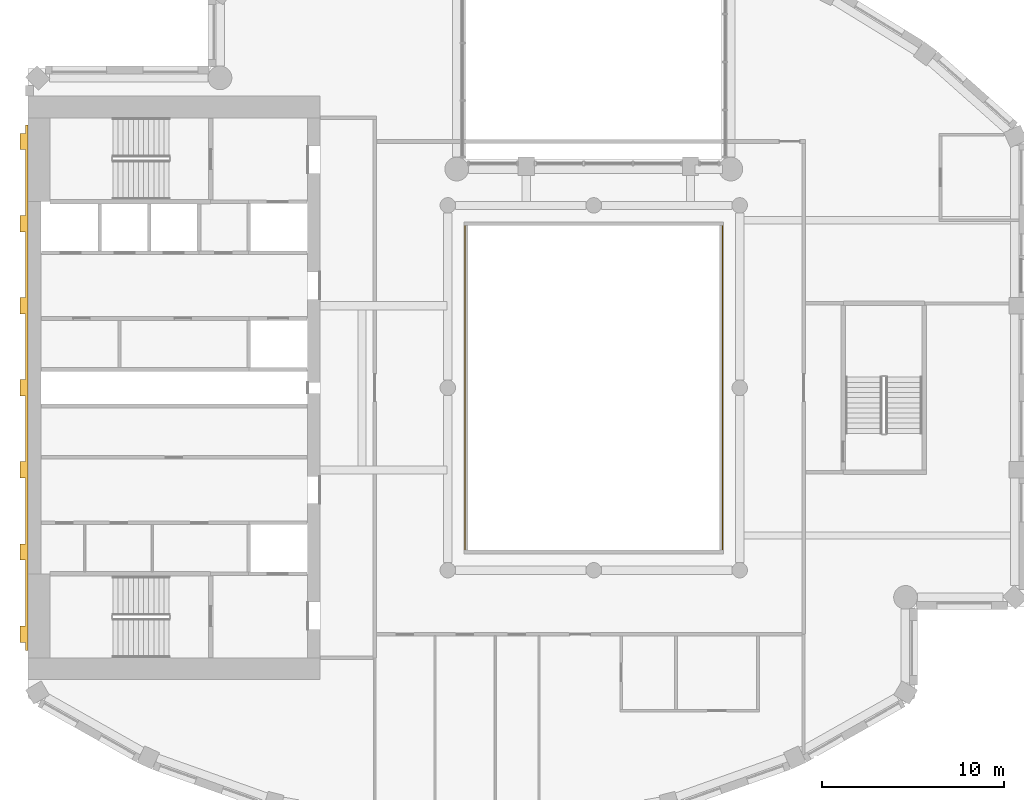
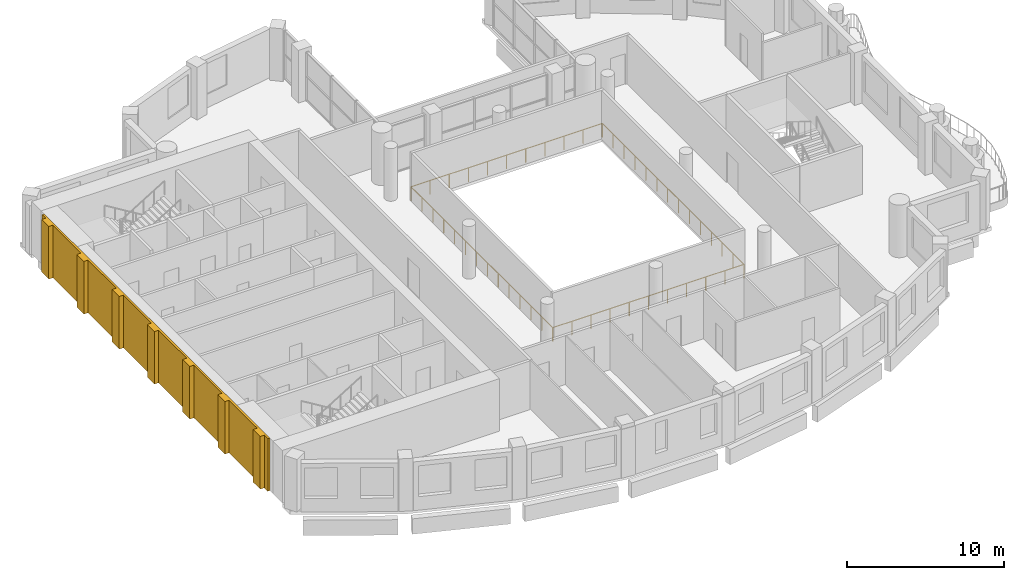
# One storey, part 11 of 14: 1 covering, 1 railing.
"""IFC4 building model written with IfcOpenShell, lengths in metres."""

from ifc_helpers import new_model, si_unit, direction, frame, origin, origin_2d, place, context, subcontext, project, spatial, polyline, rectangle, outline, extrude, material, layer, layer_set, type_object, element, save


model = new_model("IFC4")

# Units and contexts
model_context = context("Model", 3, precision=1e-05, world=origin(), true_north=direction((0.0, 1.0)))
body_context = subcontext(model_context, "Body", "Model", "MODEL_VIEW")
ifc_project = project(units=[si_unit("LENGTHUNIT", "METRE"), si_unit("AREAUNIT", "SQUARE_METRE"), si_unit("VOLUMEUNIT", "CUBIC_METRE"), si_unit("PLANEANGLEUNIT", "RADIAN"), si_unit("MASSUNIT", "GRAM", prefix="KILO")], contexts=[model_context])

# Site, building, storey
site_placement = place(None, origin())
site = spatial("IfcSite", under=ifc_project, at=site_placement, CompositionType="ELEMENT")
building_placement = place(site_placement, origin())
building = spatial("IfcBuilding", under=site, at=building_placement, Name="Cypress Arch Tower", CompositionType="ELEMENT")
storey_placement = place(building_placement, frame((0.0, 0.0, 263.89990234375)))
storey = spatial("IfcBuildingStorey", under=building, at=storey_placement, Name="L59", CompositionType="ELEMENT", Elevation=263.89990234375)

# Railing
ifc_material_1 = material(Name="Stainless steel posts and handrail, laminated glass infill", Category="steel")
railing_type = type_object("IfcRailingType", Name="Atrium guard GR1100A", PredefinedType="GUARDRAIL", material=ifc_material_1)
railing_placement = place(storey_placement, frame((8.050048828125, -9.050048828125, 0.0)))
element("IfcRailing", 1, at=railing_placement, inside=storey, type_object=railing_type, Name="Atrium guard L59", PredefinedType="GUARDRAIL", context=body_context, shape_type="SweptSolid", body=[
    extrude(rectangle(XDim=0.050048828125, YDim=0.050048828125, at=origin_2d()), frame((0.0, 0.0, 1.0751953125), z_axis=(-1.0, 0.0, 0.0), x_axis=(0.0, -1.0, 0.0)), (0.0, 0.0, 1.0), 14.10009765625),
    extrude(rectangle(XDim=0.050048828125, YDim=0.050048828125, at=origin_2d()), frame((-14.10009765625, 0.0, 1.0751953125), z_axis=(0.0, 1.0, 0.0), x_axis=(-1.0, 0.0, 0.0)), (0.0, 0.0, 1.0), 18.10009765625),
    extrude(rectangle(XDim=0.050048828125, YDim=0.050048828125, at=origin_2d()), frame((-14.10009765625, 18.10009765625, 1.0751953125), z_axis=(1.0, 0.0, 0.0), x_axis=(0.0, 1.0, 0.0)), (0.0, 0.0, 1.0), 14.10009765625),
    extrude(rectangle(XDim=0.050048828125, YDim=0.050048828125, at=origin_2d()), frame((0.0, 18.10009765625, 1.0751953125), z_axis=(0.0, -1.0, 0.0), x_axis=(1.0, 0.0, 0.0)), (0.0, 0.0, 1.0), 18.10009765625),
    extrude(rectangle(XDim=0.050048828125, YDim=0.050048828125, at=origin_2d()), origin(), (0.0, 0.0, 1.0), 1.050048828125),
    extrude(rectangle(XDim=0.050048828125, YDim=0.050048828125, at=origin_2d()), frame((-1.409912109375, 0.0, 0.0)), (0.0, 0.0, 1.0), 1.050048828125),
    extrude(rectangle(XDim=0.050048828125, YDim=0.050048828125, at=origin_2d()), frame((-2.820068359375, 0.0, 0.0)), (0.0, 0.0, 1.0), 1.050048828125),
    extrude(rectangle(XDim=0.050048828125, YDim=0.050048828125, at=origin_2d()), frame((-4.22998046875, 0.0, 0.0)), (0.0, 0.0, 1.0), 1.050048828125),
    extrude(rectangle(XDim=0.050048828125, YDim=0.050048828125, at=origin_2d()), frame((-5.64013671875, 0.0, 0.0)), (0.0, 0.0, 1.0), 1.050048828125),
    extrude(rectangle(XDim=0.050048828125, YDim=0.050048828125, at=origin_2d()), frame((-7.050048828125, 0.0, 0.0)), (0.0, 0.0, 1.0), 1.050048828125),
    extrude(rectangle(XDim=0.050048828125, YDim=0.050048828125, at=origin_2d()), frame((-8.4599609375, 0.0, 0.0)), (0.0, 0.0, 1.0), 1.050048828125),
    extrude(rectangle(XDim=0.050048828125, YDim=0.050048828125, at=origin_2d()), frame((-9.8701171875, 0.0, 0.0)), (0.0, 0.0, 1.0), 1.050048828125),
    extrude(rectangle(XDim=0.050048828125, YDim=0.050048828125, at=origin_2d()), frame((-11.280029296875, 0.0, 0.0)), (0.0, 0.0, 1.0), 1.050048828125),
    extrude(rectangle(XDim=0.050048828125, YDim=0.050048828125, at=origin_2d()), frame((-12.690185546875, 0.0, 0.0)), (0.0, 0.0, 1.0), 1.050048828125),
    extrude(rectangle(XDim=0.050048828125, YDim=0.050048828125, at=origin_2d()), frame((-14.10009765625, 0.0, 0.0)), (0.0, 0.0, 1.0), 1.050048828125),
    extrude(rectangle(XDim=0.050048828125, YDim=0.050048828125, at=origin_2d()), frame((-14.10009765625, 1.392333984375, 0.0)), (0.0, 0.0, 1.0), 1.050048828125),
    extrude(rectangle(XDim=0.050048828125, YDim=0.050048828125, at=origin_2d()), frame((-14.10009765625, 2.78466796875, 0.0)), (0.0, 0.0, 1.0), 1.050048828125),
    extrude(rectangle(XDim=0.050048828125, YDim=0.050048828125, at=origin_2d()), frame((-14.10009765625, 4.177001953125, 0.0)), (0.0, 0.0, 1.0), 1.050048828125),
    extrude(rectangle(XDim=0.050048828125, YDim=0.050048828125, at=origin_2d()), frame((-14.10009765625, 5.5693359375, 0.0)), (0.0, 0.0, 1.0), 1.050048828125),
    extrude(rectangle(XDim=0.050048828125, YDim=0.050048828125, at=origin_2d()), frame((-14.10009765625, 6.961669921875, 0.0)), (0.0, 0.0, 1.0), 1.050048828125),
    extrude(rectangle(XDim=0.050048828125, YDim=0.050048828125, at=origin_2d()), frame((-14.10009765625, 8.35400390625, 0.0)), (0.0, 0.0, 1.0), 1.050048828125),
    extrude(rectangle(XDim=0.050048828125, YDim=0.050048828125, at=origin_2d()), frame((-14.10009765625, 9.74609375, 0.0)), (0.0, 0.0, 1.0), 1.050048828125),
    extrude(rectangle(XDim=0.050048828125, YDim=0.050048828125, at=origin_2d()), frame((-14.10009765625, 11.138427734375, 0.0)), (0.0, 0.0, 1.0), 1.050048828125),
    extrude(rectangle(XDim=0.050048828125, YDim=0.050048828125, at=origin_2d()), frame((-14.10009765625, 12.53076171875, 0.0)), (0.0, 0.0, 1.0), 1.050048828125),
    extrude(rectangle(XDim=0.050048828125, YDim=0.050048828125, at=origin_2d()), frame((-14.10009765625, 13.923095703125, 0.0)), (0.0, 0.0, 1.0), 1.050048828125),
    extrude(rectangle(XDim=0.050048828125, YDim=0.050048828125, at=origin_2d()), frame((-14.10009765625, 15.3154296875, 0.0)), (0.0, 0.0, 1.0), 1.050048828125),
    extrude(rectangle(XDim=0.050048828125, YDim=0.050048828125, at=origin_2d()), frame((-14.10009765625, 16.707763671875, 0.0)), (0.0, 0.0, 1.0), 1.050048828125),
    extrude(rectangle(XDim=0.050048828125, YDim=0.050048828125, at=origin_2d()), frame((-14.10009765625, 18.10009765625, 0.0)), (0.0, 0.0, 1.0), 1.050048828125),
    extrude(rectangle(XDim=0.050048828125, YDim=0.050048828125, at=origin_2d()), frame((-12.690185546875, 18.10009765625, 0.0)), (0.0, 0.0, 1.0), 1.050048828125),
    extrude(rectangle(XDim=0.050048828125, YDim=0.050048828125, at=origin_2d()), frame((-11.280029296875, 18.10009765625, 0.0)), (0.0, 0.0, 1.0), 1.050048828125),
    extrude(rectangle(XDim=0.050048828125, YDim=0.050048828125, at=origin_2d()), frame((-9.8701171875, 18.10009765625, 0.0)), (0.0, 0.0, 1.0), 1.050048828125),
    extrude(rectangle(XDim=0.050048828125, YDim=0.050048828125, at=origin_2d()), frame((-8.4599609375, 18.10009765625, 0.0)), (0.0, 0.0, 1.0), 1.050048828125),
    extrude(rectangle(XDim=0.050048828125, YDim=0.050048828125, at=origin_2d()), frame((-7.050048828125, 18.10009765625, 0.0)), (0.0, 0.0, 1.0), 1.050048828125),
    extrude(rectangle(XDim=0.050048828125, YDim=0.050048828125, at=origin_2d()), frame((-5.64013671875, 18.10009765625, 0.0)), (0.0, 0.0, 1.0), 1.050048828125),
    extrude(rectangle(XDim=0.050048828125, YDim=0.050048828125, at=origin_2d()), frame((-4.22998046875, 18.10009765625, 0.0)), (0.0, 0.0, 1.0), 1.050048828125),
    extrude(rectangle(XDim=0.050048828125, YDim=0.050048828125, at=origin_2d()), frame((-2.820068359375, 18.10009765625, 0.0)), (0.0, 0.0, 1.0), 1.050048828125),
    extrude(rectangle(XDim=0.050048828125, YDim=0.050048828125, at=origin_2d()), frame((-1.409912109375, 18.10009765625, 0.0)), (0.0, 0.0, 1.0), 1.050048828125),
    extrude(rectangle(XDim=0.050048828125, YDim=0.050048828125, at=origin_2d()), frame((0.0, 18.10009765625, 0.0)), (0.0, 0.0, 1.0), 1.050048828125),
    extrude(rectangle(XDim=0.050048828125, YDim=0.050048828125, at=origin_2d()), frame((0.0, 16.707763671875, 0.0)), (0.0, 0.0, 1.0), 1.050048828125),
    extrude(rectangle(XDim=0.050048828125, YDim=0.050048828125, at=origin_2d()), frame((0.0, 15.3154296875, 0.0)), (0.0, 0.0, 1.0), 1.050048828125),
    extrude(rectangle(XDim=0.050048828125, YDim=0.050048828125, at=origin_2d()), frame((0.0, 13.923095703125, 0.0)), (0.0, 0.0, 1.0), 1.050048828125),
    extrude(rectangle(XDim=0.050048828125, YDim=0.050048828125, at=origin_2d()), frame((0.0, 12.53076171875, 0.0)), (0.0, 0.0, 1.0), 1.050048828125),
    extrude(rectangle(XDim=0.050048828125, YDim=0.050048828125, at=origin_2d()), frame((0.0, 11.138427734375, 0.0)), (0.0, 0.0, 1.0), 1.050048828125),
    extrude(rectangle(XDim=0.050048828125, YDim=0.050048828125, at=origin_2d()), frame((0.0, 9.74609375, 0.0)), (0.0, 0.0, 1.0), 1.050048828125),
    extrude(rectangle(XDim=0.050048828125, YDim=0.050048828125, at=origin_2d()), frame((0.0, 8.35400390625, 0.0)), (0.0, 0.0, 1.0), 1.050048828125),
    extrude(rectangle(XDim=0.050048828125, YDim=0.050048828125, at=origin_2d()), frame((0.0, 6.961669921875, 0.0)), (0.0, 0.0, 1.0), 1.050048828125),
    extrude(rectangle(XDim=0.050048828125, YDim=0.050048828125, at=origin_2d()), frame((0.0, 5.5693359375, 0.0)), (0.0, 0.0, 1.0), 1.050048828125),
    extrude(rectangle(XDim=0.050048828125, YDim=0.050048828125, at=origin_2d()), frame((0.0, 4.177001953125, 0.0)), (0.0, 0.0, 1.0), 1.050048828125),
    extrude(rectangle(XDim=0.050048828125, YDim=0.050048828125, at=origin_2d()), frame((0.0, 2.78466796875, 0.0)), (0.0, 0.0, 1.0), 1.050048828125),
    extrude(rectangle(XDim=0.050048828125, YDim=0.050048828125, at=origin_2d()), frame((0.0, 1.392333984375, 0.0)), (0.0, 0.0, 1.0), 1.050048828125),
])

# Covering
ifc_material_2 = material(Name="Brick (red buff blend)", Category="masonry")
ifc_layer = layer(ifc_material_2, 0.449951171875)
ifc_layer_set = layer_set([ifc_layer], Name="West face brick piers WP450")
covering_type = type_object("IfcCoveringType", Name="West face brick piers WP450", PredefinedType="CLADDING", material=ifc_layer_set)
covering_placement = place(storey_placement, origin())
element("IfcCovering", 2, at=covering_placement, inside=storey, type_object=covering_type, Name="West face brick piers L59", PredefinedType="CLADDING", context=body_context, shape_type="SweptSolid", body=[
    extrude(outline(polyline([(-30.14990234375, -13.050048828125), (-30.14990234375, -9.449951171875), (-30.449951171875, -9.449951171875), (-30.449951171875, -8.550048828125), (-30.14990234375, -8.550048828125), (-30.14990234375, -4.949951171875), (-30.449951171875, -4.949951171875), (-30.449951171875, -4.050048828125), (-30.14990234375, -4.050048828125), (-30.14990234375, -0.449951171875), (-30.449951171875, -0.449951171875), (-30.449951171875, 0.449951171875), (-30.14990234375, 0.449951171875), (-30.14990234375, 4.050048828125), (-30.449951171875, 4.050048828125), (-30.449951171875, 4.949951171875), (-30.14990234375, 4.949951171875), (-30.14990234375, 8.550048828125), (-30.449951171875, 8.550048828125), (-30.449951171875, 9.449951171875), (-30.14990234375, 9.449951171875), (-30.14990234375, 13.050048828125), (-30.449951171875, 13.050048828125), (-30.449951171875, 13.949951171875), (-30.14990234375, 13.949951171875), (-30.14990234375, 14.39990234375), (-30.0, 14.39990234375), (-30.0, -14.39990234375), (-30.14990234375, -14.39990234375), (-30.14990234375, -13.949951171875), (-30.449951171875, -13.949951171875), (-30.449951171875, -13.050048828125), (-30.14990234375, -13.050048828125)])), origin(), (0.0, 0.0, 1.0), 4.10009765625),
])

save(model, "model.ifc")
